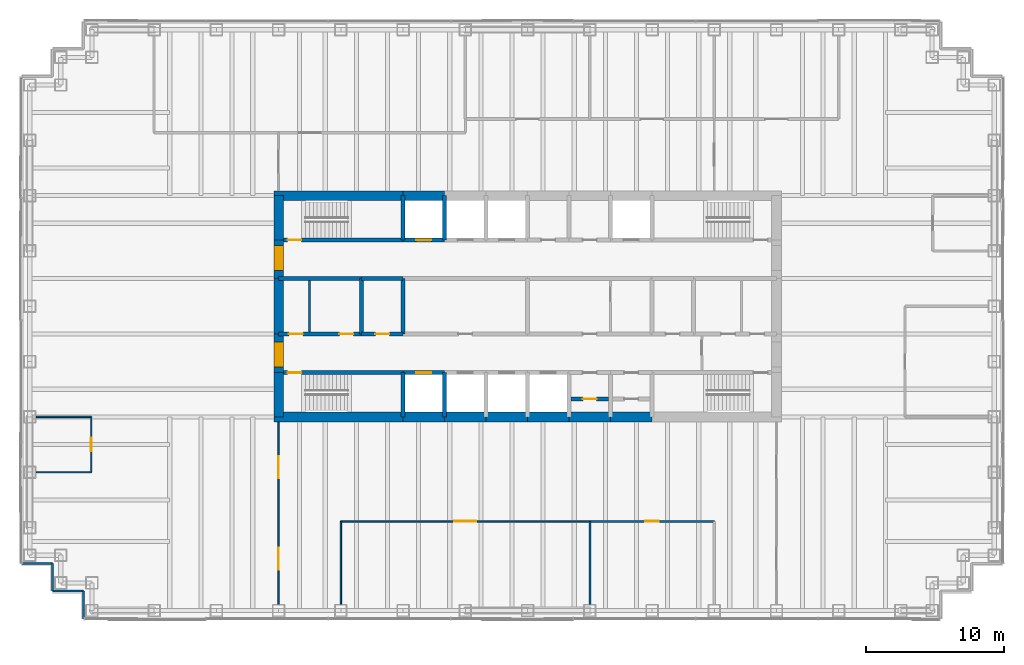
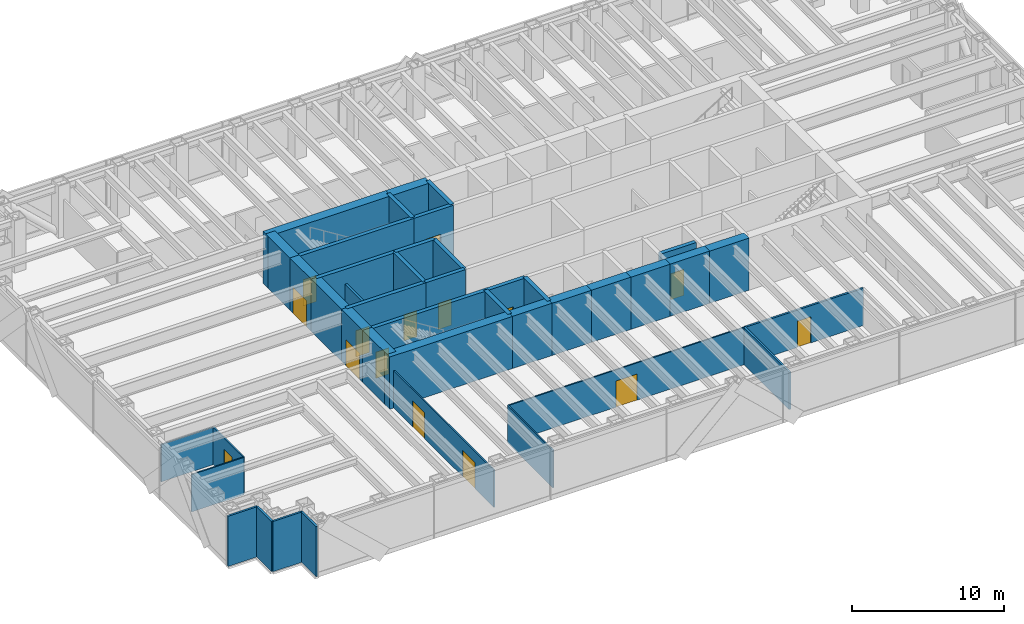
# One storey, part 13 of 17: 42 walls, 15 doors, 15 openings.
"""IFC4 building model written with IfcOpenShell, lengths in metres."""

from ifc_helpers import new_model, si_unit, direction, frame, frame_2d, origin, place, context, subcontext, project, spatial, rectangle, extrude, material, layer, layer_set, type_object, element, fill, save


model = new_model("IFC4")

# Units and contexts
model_context = context("Model", 3, precision=1e-05, world=origin(), true_north=direction((0.0, 1.0)))
body_context = subcontext(model_context, "Body", "Model", "MODEL_VIEW")
ifc_project = project(units=[si_unit("LENGTHUNIT", "METRE"), si_unit("AREAUNIT", "SQUARE_METRE"), si_unit("VOLUMEUNIT", "CUBIC_METRE"), si_unit("PLANEANGLEUNIT", "RADIAN"), si_unit("MASSUNIT", "GRAM", prefix="KILO")], contexts=[model_context])

# Site, building, storey
site_placement = place(None, origin())
site = spatial("IfcSite", under=ifc_project, at=site_placement, CompositionType="ELEMENT")
building_placement = place(site_placement, origin())
building = spatial("IfcBuilding", under=site, at=building_placement, Name="Rheinbord Bourse Tower", CompositionType="ELEMENT")
storey_placement = place(building_placement, frame((0.0, 0.0, 300.5)))
storey = spatial("IfcBuildingStorey", under=building, at=storey_placement, Name="L68", CompositionType="ELEMENT", Elevation=300.5)

# Wall, opening, door
ifc_material_1 = material(Name="Concrete C50/60", Category="concrete")
ifc_layer_1 = layer(ifc_material_1, 0.300048828125)
ifc_layer_set_1 = layer_set([ifc_layer_1], Name="CORE INNER WALL 300")
wall_type_1 = type_object("IfcWallType", Name="CORE INNER WALL 300", PredefinedType="SOLIDWALL", material=ifc_layer_set_1)
wall_1_placement = place(storey_placement, frame((18.0, 19.199951171875, 0.0), z_axis=(0.0, 0.0, 1.0), x_axis=(1.0, 0.0, 0.0)))
wall_1 = element("IfcWall", 1, at=wall_1_placement, inside=storey, type_object=wall_type_1, Name="Core wall A1 L68", PredefinedType="SOLIDWALL", context=body_context, shape_type="SweptSolid", body=[
    extrude(rectangle(XDim=9.0, YDim=0.300048828125, at=frame_2d((4.5, 0.0))), origin(), (0.0, 0.0, 1.0), 4.199951171875),
])
opening_1_placement = place(wall_1_placement, frame((0.64990234375, 0.0, 0.0)))
opening_1 = element("IfcOpeningElement", 2, at=opening_1_placement, cuts=wall_1, Name="Opening 6810", PredefinedType="OPENING", context=body_context, shape_type="SweptSolid", body=[
    extrude(rectangle(XDim=1.0, YDim=2.10009765625, at=frame_2d((0.5, 1.050048828125))), frame((0.0, 0.159912109375, 0.0), z_axis=(0.0, -1.0, 0.0), x_axis=(1.0, 0.0, 0.0)), (0.0, 0.0, 1.0), 0.320068359375),
])
ifc_material_2 = material(Name="Steel door", Category="steel")
door_type_1 = type_object("IfcDoorType", Name="DOOR 1000 EI30", OperationType="SINGLE_SWING_LEFT", PredefinedType="DOOR", material=ifc_material_2)
door_1_placement = place(opening_1_placement, origin())
door_1 = element("IfcDoor", 3, at=door_1_placement, inside=storey, type_object=door_type_1, Name="Stair door ST1 L68", OperationType="SINGLE_SWING_LEFT", OverallHeight=2.10009765625, OverallWidth=1.0, PredefinedType="DOOR", context=body_context, shape_type="SweptSolid", body=[
    extrude(rectangle(XDim=1.0, YDim=2.10009765625, at=frame_2d((0.5, 1.050048828125))), frame((0.0, 0.02490234375, 0.0), z_axis=(0.0, -1.0, 0.0), x_axis=(1.0, 0.0, 0.0)), (0.0, 0.0, 1.0), 0.050048828125),
])
fill(opening_1, door_1)

wall_2_placement = place(storey_placement, frame((27.0, 19.199951171875, 0.0), z_axis=(0.0, 0.0, 1.0), x_axis=(1.0, 0.0, 0.0)))
wall_2 = element("IfcWall", 4, at=wall_2_placement, inside=storey, type_object=wall_type_1, Name="Core wall A2 L68", PredefinedType="SOLIDWALL", context=body_context, shape_type="SweptSolid", body=[
    extrude(rectangle(XDim=3.0, YDim=0.300048828125, at=frame_2d((1.5, 0.0))), origin(), (0.0, 0.0, 1.0), 4.199951171875),
])
opening_2_placement = place(wall_2_placement, frame((0.949951171875, 0.0, 0.0)))
opening_2 = element("IfcOpeningElement", 5, at=opening_2_placement, cuts=wall_2, Name="Opening FL1", PredefinedType="OPENING", context=body_context, shape_type="SweptSolid", body=[
    extrude(rectangle(XDim=1.10009765625, YDim=2.199951171875, at=frame_2d((0.550048828125, 1.10009765625))), frame((0.0, 0.159912109375, 0.0), z_axis=(0.0, -1.0, 0.0), x_axis=(1.0, 0.0, 0.0)), (0.0, 0.0, 1.0), 0.320068359375),
])
ifc_material_3 = material(Name="Steel landing door", Category="steel")
door_type_2 = type_object("IfcDoorType", Name="LIFT LANDING DOOR 1100", OperationType="DOUBLE_DOOR_SLIDING", PredefinedType="USERDEFINED", material=ifc_material_3)
door_2_placement = place(opening_2_placement, origin())
door_2 = element("IfcDoor", 6, at=door_2_placement, inside=storey, type_object=door_type_2, Name="Lift landing door FL1 L68", ObjectType="LIFT LANDING DOOR", OperationType="DOUBLE_DOOR_SLIDING", OverallHeight=2.199951171875, OverallWidth=1.10009765625, PredefinedType="USERDEFINED", context=body_context, shape_type="SweptSolid", body=[
    extrude(rectangle(XDim=1.10009765625, YDim=2.199951171875, at=frame_2d((0.550048828125, 1.10009765625))), frame((0.0, 0.02490234375, 0.0), z_axis=(0.0, -1.0, 0.0), x_axis=(1.0, 0.0, 0.0)), (0.0, 0.0, 1.0), 0.050048828125),
])
fill(opening_2, door_2)

wall_3_placement = place(storey_placement, frame((18.0, 28.800048828125, 0.0), z_axis=(0.0, 0.0, 1.0), x_axis=(1.0, 0.0, 0.0)))
wall_3 = element("IfcWall", 7, at=wall_3_placement, inside=storey, type_object=wall_type_1, Name="Core wall B1 L68", PredefinedType="SOLIDWALL", context=body_context, shape_type="SweptSolid", body=[
    extrude(rectangle(XDim=9.0, YDim=0.300048828125, at=frame_2d((4.5, 0.0))), origin(), (0.0, 0.0, 1.0), 4.199951171875),
])
opening_3_placement = place(wall_3_placement, frame((0.64990234375, 0.0, 0.0)))
opening_3 = element("IfcOpeningElement", 8, at=opening_3_placement, cuts=wall_3, Name="Opening 6820", PredefinedType="OPENING", context=body_context, shape_type="SweptSolid", body=[
    extrude(rectangle(XDim=1.0, YDim=2.10009765625, at=frame_2d((0.5, 1.050048828125))), frame((0.0, 0.159912109375, 0.0), z_axis=(0.0, -1.0, 0.0), x_axis=(1.0, 0.0, 0.0)), (0.0, 0.0, 1.0), 0.320068359375),
])
door_3_placement = place(opening_3_placement, origin())
door_3 = element("IfcDoor", 9, at=door_3_placement, inside=storey, type_object=door_type_1, Name="Stair door ST2 L68", OperationType="SINGLE_SWING_LEFT", OverallHeight=2.10009765625, OverallWidth=1.0, PredefinedType="DOOR", context=body_context, shape_type="SweptSolid", body=[
    extrude(rectangle(XDim=1.0, YDim=2.10009765625, at=frame_2d((0.5, 1.050048828125))), frame((0.0, 0.02490234375, 0.0), z_axis=(0.0, -1.0, 0.0), x_axis=(1.0, 0.0, 0.0)), (0.0, 0.0, 1.0), 0.050048828125),
])
fill(opening_3, door_3)

wall_4_placement = place(storey_placement, frame((27.0, 28.800048828125, 0.0), z_axis=(0.0, 0.0, 1.0), x_axis=(1.0, 0.0, 0.0)))
wall_4 = element("IfcWall", 10, at=wall_4_placement, inside=storey, type_object=wall_type_1, Name="Core wall B2 L68", PredefinedType="SOLIDWALL", context=body_context, shape_type="SweptSolid", body=[
    extrude(rectangle(XDim=3.0, YDim=0.300048828125, at=frame_2d((1.5, 0.0))), origin(), (0.0, 0.0, 1.0), 4.199951171875),
])
opening_4_placement = place(wall_4_placement, frame((0.949951171875, 0.0, 0.0)))
opening_4 = element("IfcOpeningElement", 11, at=opening_4_placement, cuts=wall_4, Name="Opening GL1", PredefinedType="OPENING", context=body_context, shape_type="SweptSolid", body=[
    extrude(rectangle(XDim=1.10009765625, YDim=2.199951171875, at=frame_2d((0.550048828125, 1.10009765625))), frame((0.0, 0.159912109375, 0.0), z_axis=(0.0, -1.0, 0.0), x_axis=(1.0, 0.0, 0.0)), (0.0, 0.0, 1.0), 0.320068359375),
])
door_4_placement = place(opening_4_placement, origin())
door_4 = element("IfcDoor", 12, at=door_4_placement, inside=storey, type_object=door_type_2, Name="Lift landing door GL1 L68", ObjectType="LIFT LANDING DOOR", OperationType="DOUBLE_DOOR_SLIDING", OverallHeight=2.199951171875, OverallWidth=1.10009765625, PredefinedType="USERDEFINED", context=body_context, shape_type="SweptSolid", body=[
    extrude(rectangle(XDim=1.10009765625, YDim=2.199951171875, at=frame_2d((0.550048828125, 1.10009765625))), frame((0.0, 0.02490234375, 0.0), z_axis=(0.0, -1.0, 0.0), x_axis=(1.0, 0.0, 0.0)), (0.0, 0.0, 1.0), 0.050048828125),
])
fill(opening_4, door_4)

# Wall, openings, doors
wall_5_placement = place(storey_placement, frame((18.0, 22.0, 0.0), z_axis=(0.0, 0.0, 1.0), x_axis=(1.0, 0.0, 0.0)))
wall_5 = element("IfcWall", 13, at=wall_5_placement, inside=storey, type_object=wall_type_1, Name="Core wall C1 L68", PredefinedType="SOLIDWALL", context=body_context, shape_type="SweptSolid", body=[
    extrude(rectangle(XDim=6.0, YDim=0.300048828125, at=frame_2d((3.0, 0.0))), origin(), (0.0, 0.0, 1.0), 4.199951171875),
])
opening_5_placement = place(wall_5_placement, frame((4.39990234375, 0.0, 0.0)))
opening_5 = element("IfcOpeningElement", 14, at=opening_5_placement, cuts=wall_5, Name="Opening 68R1", PredefinedType="OPENING", context=body_context, shape_type="SweptSolid", body=[
    extrude(rectangle(XDim=1.0, YDim=2.10009765625, at=frame_2d((0.5, 1.050048828125))), frame((0.0, 0.159912109375, 0.0), z_axis=(0.0, -1.0, 0.0), x_axis=(1.0, 0.0, 0.0)), (0.0, 0.0, 1.0), 0.320068359375),
])
opening_6_placement = place(wall_5_placement, frame((0.75, 0.0, 0.0)))
opening_6 = element("IfcOpeningElement", 15, at=opening_6_placement, cuts=wall_5, Name="Opening 68R9", PredefinedType="OPENING", context=body_context, shape_type="SweptSolid", body=[
    extrude(rectangle(XDim=1.0, YDim=2.10009765625, at=frame_2d((0.5, 1.050048828125))), frame((0.0, 0.159912109375, 0.0), z_axis=(0.0, -1.0, 0.0), x_axis=(1.0, 0.0, 0.0)), (0.0, 0.0, 1.0), 0.320068359375),
])
door_5_placement = place(opening_6_placement, origin())
door_5 = element("IfcDoor", 16, at=door_5_placement, inside=storey, type_object=door_type_1, Name="Staff shower door L68", OperationType="SINGLE_SWING_LEFT", OverallHeight=2.10009765625, OverallWidth=1.0, PredefinedType="DOOR", context=body_context, shape_type="SweptSolid", body=[
    extrude(rectangle(XDim=1.0, YDim=2.10009765625, at=frame_2d((0.5, 1.050048828125))), frame((0.0, 0.02490234375, 0.0), z_axis=(0.0, -1.0, 0.0), x_axis=(1.0, 0.0, 0.0)), (0.0, 0.0, 1.0), 0.050048828125),
])
fill(opening_6, door_5)
ifc_material_4 = material(Name="Timber door", Category="wood")
door_type_3 = type_object("IfcDoorType", Name="DOOR 1000 WC", OperationType="SINGLE_SWING_LEFT", PredefinedType="DOOR", material=ifc_material_4)
door_6_placement = place(opening_5_placement, origin())
door_6 = element("IfcDoor", 17, at=door_6_placement, inside=storey, type_object=door_type_3, Name="WC men door L68", OperationType="SINGLE_SWING_RIGHT", OverallHeight=2.10009765625, OverallWidth=1.0, PredefinedType="DOOR", context=body_context, shape_type="SweptSolid", body=[
    extrude(rectangle(XDim=1.0, YDim=2.10009765625, at=frame_2d((0.5, 1.050048828125))), frame((0.0, 0.02490234375, 0.0), z_axis=(0.0, -1.0, 0.0), x_axis=(1.0, 0.0, 0.0)), (0.0, 0.0, 1.0), 0.050048828125),
])
fill(opening_5, door_6)

# Wall, opening, door
wall_6_placement = place(storey_placement, frame((24.0, 22.0, 0.0), z_axis=(0.0, 0.0, 1.0), x_axis=(1.0, 0.0, 0.0)))
wall_6 = element("IfcWall", 18, at=wall_6_placement, inside=storey, type_object=wall_type_1, Name="Core wall C2 L68", PredefinedType="SOLIDWALL", context=body_context, shape_type="SweptSolid", body=[
    extrude(rectangle(XDim=3.0, YDim=0.300048828125, at=frame_2d((1.5, 0.0))), origin(), (0.0, 0.0, 1.0), 4.199951171875),
])
opening_7_placement = place(wall_6_placement, frame((1.0, 0.0, 0.0)))
opening_7 = element("IfcOpeningElement", 19, at=opening_7_placement, cuts=wall_6, Name="Opening 68R2", PredefinedType="OPENING", context=body_context, shape_type="SweptSolid", body=[
    extrude(rectangle(XDim=1.0, YDim=2.10009765625, at=frame_2d((0.5, 1.050048828125))), frame((0.0, 0.159912109375, 0.0), z_axis=(0.0, -1.0, 0.0), x_axis=(1.0, 0.0, 0.0)), (0.0, 0.0, 1.0), 0.320068359375),
])
door_7_placement = place(opening_7_placement, origin())
door_7 = element("IfcDoor", 20, at=door_7_placement, inside=storey, type_object=door_type_3, Name="Shower and accessible WC door L68", OperationType="SINGLE_SWING_LEFT", OverallHeight=2.10009765625, OverallWidth=1.0, PredefinedType="DOOR", context=body_context, shape_type="SweptSolid", body=[
    extrude(rectangle(XDim=1.0, YDim=2.10009765625, at=frame_2d((0.5, 1.050048828125))), frame((0.0, 0.02490234375, 0.0), z_axis=(0.0, -1.0, 0.0), x_axis=(1.0, 0.0, 0.0)), (0.0, 0.0, 1.0), 0.050048828125),
])
fill(opening_7, door_7)

# Walls
wall_7_placement = place(storey_placement, frame((18.0, 26.0, 0.0), z_axis=(0.0, 0.0, 1.0), x_axis=(1.0, 0.0, 0.0)))
element("IfcWall", 21, at=wall_7_placement, inside=storey, type_object=wall_type_1, Name="Core wall D1 L68", PredefinedType="SOLIDWALL", context=body_context, shape_type="SweptSolid", body=[
    extrude(rectangle(XDim=6.0, YDim=0.300048828125, at=frame_2d((3.0, 0.0))), origin(), (0.0, 0.0, 1.0), 4.199951171875),
])
wall_8_placement = place(storey_placement, frame((24.0, 26.0, 0.0), z_axis=(0.0, 0.0, 1.0), x_axis=(1.0, 0.0, 0.0)))
element("IfcWall", 22, at=wall_8_placement, inside=storey, type_object=wall_type_1, Name="Core wall D2 L68", PredefinedType="SOLIDWALL", context=body_context, shape_type="SweptSolid", body=[
    extrude(rectangle(XDim=3.0, YDim=0.300048828125, at=frame_2d((1.5, 0.0))), origin(), (0.0, 0.0, 1.0), 4.199951171875),
])
for number, where, z_axis, x_axis, name in (
    (23, (27.0, 16.0, 0.0), (0.0, 0.0, 1.0), (0.0, 1.0, 0.0), "Core wall SX27 L68"),
    (24, (27.0, 28.800048828125, 0.0), (0.0, 0.0, 1.0), (0.0, 1.0, 0.0), "Core wall NX27 L68"),
    (25, (30.0, 16.0, 0.0), (0.0, 0.0, 1.0), (0.0, 1.0, 0.0), "Core wall SX30 L68"),
    (26, (30.0, 28.800048828125, 0.0), (0.0, 0.0, 1.0), (0.0, 1.0, 0.0), "Core wall NX30 L68"),
):
    element("IfcWall", number, at=place(storey_placement, frame(where, z_axis=z_axis, x_axis=x_axis)), inside=storey, type_object=wall_type_1, Name=name, PredefinedType="SOLIDWALL", context=body_context, shape_type="SweptSolid", body=[
        extrude(rectangle(XDim=3.199951171875, YDim=0.300048828125, at=frame_2d((1.60009765625, 0.0))), origin(), (0.0, 0.0, 1.0), 4.199951171875),
    ])
for number, where, z_axis, x_axis, name in (
    (27, (24.0, 22.0, 0.0), (0.0, 0.0, 1.0), (0.0, 1.0, 0.0), "Core wall MX24 L68"),
    (28, (27.0, 22.0, 0.0), (0.0, 0.0, 1.0), (0.0, 1.0, 0.0), "Core wall MX27 L68"),
):
    element("IfcWall", number, at=place(storey_placement, frame(where, z_axis=z_axis, x_axis=x_axis)), inside=storey, type_object=wall_type_1, Name=name, PredefinedType="SOLIDWALL", context=body_context, shape_type="SweptSolid", body=[
        extrude(rectangle(XDim=4.0, YDim=0.300048828125, at=frame_2d((2.0, 0.0))), origin(), (0.0, 0.0, 1.0), 4.199951171875),
    ])

# Wall, opening, door
wall_9_placement = place(storey_placement, frame((39.14990234375, 17.300048828125, 0.0), z_axis=(0.0, 0.0, 1.0), x_axis=(1.0, 0.0, 0.0)))
wall_9 = element("IfcWall", 29, at=wall_9_placement, inside=storey, type_object=wall_type_1, Name="Core riser wall L68-6", PredefinedType="SOLIDWALL", context=body_context, shape_type="SweptSolid", body=[
    extrude(rectangle(XDim=2.7001953125, YDim=0.300048828125, at=frame_2d((1.35009765625, 0.0))), origin(), (0.0, 0.0, 1.0), 4.0400390625),
])
opening_8_placement = place(wall_9_placement, frame((0.85009765625, 0.0, 0.0)))
opening_8 = element("IfcOpeningElement", 30, at=opening_8_placement, cuts=wall_9, Name="Opening 68R12", PredefinedType="OPENING", context=body_context, shape_type="SweptSolid", body=[
    extrude(rectangle(XDim=1.0, YDim=2.10009765625, at=frame_2d((0.5, 1.050048828125))), frame((0.0, 0.159912109375, 0.0), z_axis=(0.0, -1.0, 0.0), x_axis=(1.0, 0.0, 0.0)), (0.0, 0.0, 1.0), 0.320068359375),
])
door_8_placement = place(opening_8_placement, origin())
door_8 = element("IfcDoor", 31, at=door_8_placement, inside=storey, type_object=door_type_1, Name="Comms riser door L68", OperationType="SINGLE_SWING_LEFT", OverallHeight=2.10009765625, OverallWidth=1.0, PredefinedType="DOOR", context=body_context, shape_type="SweptSolid", body=[
    extrude(rectangle(XDim=1.0, YDim=2.10009765625, at=frame_2d((0.5, 1.050048828125))), frame((0.0, 0.02490234375, 0.0), z_axis=(0.0, -1.0, 0.0), x_axis=(1.0, 0.0, 0.0)), (0.0, 0.0, 1.0), 0.050048828125),
])
fill(opening_8, door_8)

# Walls
ifc_material_5 = material(Name="Gypsum board fire partition", Category="gypsum board")
ifc_layer_2 = layer(ifc_material_5, 0.14990234375)
ifc_layer_set_2 = layer_set([ifc_layer_2], Name="CORE PARTITION 150 EI30")
wall_type_2 = type_object("IfcWallType", Name="CORE PARTITION 150 EI30", PredefinedType="PARTITIONING", material=ifc_layer_set_2)
wall_10_placement = place(storey_placement, frame((20.22509765625, 22.14990234375, 0.0), z_axis=(0.0, 0.0, 1.0), x_axis=(0.0, 1.0, 0.0)))
element("IfcWall", 32, at=wall_10_placement, inside=storey, type_object=wall_type_2, Name="Core partition L68-2", PredefinedType="PARTITIONING", context=body_context, shape_type="SweptSolid", body=[
    extrude(rectangle(XDim=3.7001953125, YDim=0.14990234375, at=frame_2d((1.85009765625, 0.0))), origin(), (0.0, 0.0, 1.0), 3.0),
])
ifc_material_6 = material(Name="Concrete C50/60", Category="concrete")
ifc_layer_3 = layer(ifc_material_6, 0.699951171875)
ifc_layer_set_3 = layer_set([ifc_layer_3], Name="CORE WALL 700")
wall_type_3 = type_object("IfcWallType", Name="CORE WALL 700", PredefinedType="SHEAR", material=ifc_layer_set_3)
wall_11_placement = place(storey_placement, frame((17.64990234375, 16.0, 0.0), z_axis=(0.0, 0.0, 1.0), x_axis=(1.0, 0.0, 0.0)))
element("IfcWall", 33, at=wall_11_placement, inside=storey, type_object=wall_type_3, Name="Core wall S1 L68", PredefinedType="SHEAR", context=body_context, shape_type="SweptSolid", body=[
    extrude(rectangle(XDim=9.35009765625, YDim=0.699951171875, at=frame_2d((4.675048828125, 0.0))), origin(), (0.0, 0.0, 1.0), 4.199951171875),
])
for number, where, z_axis, x_axis, name in (
    (34, (27.0, 16.0, 0.0), (0.0, 0.0, 1.0), (1.0, 0.0, 0.0), "Core wall S2 L68"),
    (35, (30.0, 16.0, 0.0), (0.0, 0.0, 1.0), (1.0, 0.0, 0.0), "Core wall S3 L68"),
    (36, (33.0, 16.0, 0.0), (0.0, 0.0, 1.0), (1.0, 0.0, 0.0), "Core wall S4 L68"),
    (37, (36.0, 16.0, 0.0), (0.0, 0.0, 1.0), (1.0, 0.0, 0.0), "Core wall S5 L68"),
    (38, (39.0, 16.0, 0.0), (0.0, 0.0, 1.0), (1.0, 0.0, 0.0), "Core wall S6 L68"),
    (39, (42.0, 16.0, 0.0), (0.0, 0.0, 1.0), (1.0, 0.0, 0.0), "Core wall S7 L68"),
    (40, (30.0, 32.0, 0.0), (0.0, 0.0, 1.0), (-1.0, 0.0, 0.0), "Core wall N7 L68"),
):
    element("IfcWall", number, at=place(storey_placement, frame(where, z_axis=z_axis, x_axis=x_axis)), inside=storey, type_object=wall_type_3, Name=name, PredefinedType="SHEAR", context=body_context, shape_type="SweptSolid", body=[
        extrude(rectangle(XDim=3.0, YDim=0.699951171875, at=frame_2d((1.5, 0.0))), origin(), (0.0, 0.0, 1.0), 4.199951171875),
    ])
wall_12_placement = place(storey_placement, frame((27.0, 32.0, 0.0), z_axis=(0.0, 0.0, 1.0), x_axis=(-1.0, 0.0, 0.0)))
element("IfcWall", 41, at=wall_12_placement, inside=storey, type_object=wall_type_3, Name="Core wall N8 L68", PredefinedType="SHEAR", context=body_context, shape_type="SweptSolid", body=[
    extrude(rectangle(XDim=9.35009765625, YDim=0.699951171875, at=frame_2d((4.675048828125, 0.0))), origin(), (0.0, 0.0, 1.0), 4.199951171875),
])
wall_13_placement = place(storey_placement, frame((18.0, 32.0, 0.0), z_axis=(0.0, 0.0, 1.0), x_axis=(0.0, -1.0, 0.0)))
element("IfcWall", 42, at=wall_13_placement, inside=storey, type_object=wall_type_3, Name="Core wall W1 L68", PredefinedType="SHEAR", context=body_context, shape_type="SweptSolid", body=[
    extrude(rectangle(XDim=3.199951171875, YDim=0.699951171875, at=frame_2d((1.60009765625, 0.0))), origin(), (0.0, 0.0, 1.0), 4.199951171875),
])

# Wall, opening, door
wall_14_placement = place(storey_placement, frame((18.0, 28.800048828125, 0.0), z_axis=(0.0, 0.0, 1.0), x_axis=(0.0, -1.0, 0.0)))
wall_14 = element("IfcWall", 43, at=wall_14_placement, inside=storey, type_object=wall_type_3, Name="Core wall W2 L68", PredefinedType="SHEAR", context=body_context, shape_type="SweptSolid", body=[
    extrude(rectangle(XDim=2.800048828125, YDim=0.699951171875, at=frame_2d((1.39990234375, 0.0))), origin(), (0.0, 0.0, 1.0), 4.199951171875),
])
opening_9_placement = place(wall_14_placement, frame((0.39990234375, 0.0, 0.0)))
opening_9 = element("IfcOpeningElement", 44, at=opening_9_placement, cuts=wall_14, Name="Opening 68L2", PredefinedType="OPENING", context=body_context, shape_type="SweptSolid", body=[
    extrude(rectangle(XDim=1.800048828125, YDim=2.10009765625, at=frame_2d((0.89990234375, 1.050048828125))), frame((0.0, 0.35986328125, 0.0), z_axis=(0.0, -1.0, 0.0), x_axis=(1.0, 0.0, 0.0)), (0.0, 0.0, 1.0), 0.719970703125),
])
ifc_material_7 = material(Name="Steel door", Category="steel")
door_type_4 = type_object("IfcDoorType", Name="DOOR 1800 EI30 DOUBLE", OperationType="DOUBLE_DOOR_DOUBLE_SWING", PredefinedType="DOOR", material=ifc_material_7)
door_9_placement = place(opening_9_placement, origin())
door_9 = element("IfcDoor", 45, at=door_9_placement, inside=storey, type_object=door_type_4, Name="Lobby door 2 L68", OperationType="SINGLE_SWING_LEFT", OverallHeight=2.10009765625, OverallWidth=1.800048828125, PredefinedType="DOOR", context=body_context, shape_type="SweptSolid", body=[
    extrude(rectangle(XDim=1.800048828125, YDim=2.10009765625, at=frame_2d((0.89990234375, 1.050048828125))), frame((0.0, 0.349609375, 0.0), z_axis=(0.0, -1.0, 0.0), x_axis=(1.0, 0.0, 0.0)), (0.0, 0.0, 1.0), 0.699462890625),
])
fill(opening_9, door_9)

# Wall
wall_15_placement = place(storey_placement, frame((18.0, 26.0, 0.0), z_axis=(0.0, 0.0, 1.0), x_axis=(0.0, -1.0, 0.0)))
element("IfcWall", 46, at=wall_15_placement, inside=storey, type_object=wall_type_3, Name="Core wall W3 L68", PredefinedType="SHEAR", context=body_context, shape_type="SweptSolid", body=[
    extrude(rectangle(XDim=4.0, YDim=0.699951171875, at=frame_2d((2.0, 0.0))), origin(), (0.0, 0.0, 1.0), 4.199951171875),
])

# Wall, opening, door
wall_16_placement = place(storey_placement, frame((18.0, 22.0, 0.0), z_axis=(0.0, 0.0, 1.0), x_axis=(0.0, -1.0, 0.0)))
wall_16 = element("IfcWall", 47, at=wall_16_placement, inside=storey, type_object=wall_type_3, Name="Core wall W4 L68", PredefinedType="SHEAR", context=body_context, shape_type="SweptSolid", body=[
    extrude(rectangle(XDim=2.800048828125, YDim=0.699951171875, at=frame_2d((1.39990234375, 0.0))), origin(), (0.0, 0.0, 1.0), 4.199951171875),
])
opening_10_placement = place(wall_16_placement, frame((0.60009765625, 0.0, 0.0)))
opening_10 = element("IfcOpeningElement", 48, at=opening_10_placement, cuts=wall_16, Name="Opening 68L1", PredefinedType="OPENING", context=body_context, shape_type="SweptSolid", body=[
    extrude(rectangle(XDim=1.800048828125, YDim=2.10009765625, at=frame_2d((0.89990234375, 1.050048828125))), frame((0.0, 0.35986328125, 0.0), z_axis=(0.0, -1.0, 0.0), x_axis=(1.0, 0.0, 0.0)), (0.0, 0.0, 1.0), 0.719970703125),
])
door_10_placement = place(opening_10_placement, origin())
door_10 = element("IfcDoor", 49, at=door_10_placement, inside=storey, type_object=door_type_4, Name="Lobby door 1 L68", OperationType="SINGLE_SWING_LEFT", OverallHeight=2.10009765625, OverallWidth=1.800048828125, PredefinedType="DOOR", context=body_context, shape_type="SweptSolid", body=[
    extrude(rectangle(XDim=1.800048828125, YDim=2.10009765625, at=frame_2d((0.89990234375, 1.050048828125))), frame((0.0, 0.349609375, 0.0), z_axis=(0.0, -1.0, 0.0), x_axis=(1.0, 0.0, 0.0)), (0.0, 0.0, 1.0), 0.699462890625),
])
fill(opening_10, door_10)

# Walls
wall_17_placement = place(storey_placement, frame((18.0, 19.199951171875, 0.0), z_axis=(0.0, 0.0, 1.0), x_axis=(0.0, -1.0, 0.0)))
element("IfcWall", 50, at=wall_17_placement, inside=storey, type_object=wall_type_3, Name="Core wall W5 L68", PredefinedType="SHEAR", context=body_context, shape_type="SweptSolid", body=[
    extrude(rectangle(XDim=3.199951171875, YDim=0.699951171875, at=frame_2d((1.60009765625, 0.0))), origin(), (0.0, 0.0, 1.0), 4.199951171875),
])
ifc_material_8 = material(Name="Black metal rainscreen panel", Category="aluminium")
ifc_layer_4 = layer(ifc_material_8, 0.14990234375)
ifc_layer_set_4 = layer_set([ifc_layer_4], Name="CORNER PIER CLADDING 150")
wall_type_4 = type_object("IfcWallType", Name="CORNER PIER CLADDING 150", PredefinedType="ELEMENTEDWALL", material=ifc_layer_set_4)
wall_18_placement = place(storey_placement, frame((-0.60009765625, 5.39990234375, 0.0), z_axis=(0.0, 0.0, 1.0), x_axis=(1.0, 0.0, 0.0)))
element("IfcWall", 51, at=wall_18_placement, inside=storey, type_object=wall_type_4, Name="Corner pier cladding L68 17", PredefinedType="ELEMENTEDWALL", context=body_context, shape_type="SweptSolid", body=[
    extrude(rectangle(XDim=2.25, YDim=0.14990234375, at=frame_2d((1.125, 0.0))), origin(), (0.0, 0.0, 1.0), 4.0400390625),
])
wall_19_placement = place(storey_placement, frame((1.64990234375, 5.39990234375, 0.0), z_axis=(0.0, 0.0, 1.0), x_axis=(0.0, -1.0, 0.0)))
element("IfcWall", 52, at=wall_19_placement, inside=storey, type_object=wall_type_4, Name="Corner pier cladding L68 18", PredefinedType="ELEMENTEDWALL", context=body_context, shape_type="SweptSolid", body=[
    extrude(rectangle(XDim=2.0, YDim=0.14990234375, at=frame_2d((1.0, 0.0))), origin(), (0.0, 0.0, 1.0), 4.0400390625),
])
wall_20_placement = place(storey_placement, frame((1.64990234375, 3.39990234375, 0.0), z_axis=(0.0, 0.0, 1.0), x_axis=(1.0, 0.0, 0.0)))
element("IfcWall", 53, at=wall_20_placement, inside=storey, type_object=wall_type_4, Name="Corner pier cladding L68 19", PredefinedType="ELEMENTEDWALL", context=body_context, shape_type="SweptSolid", body=[
    extrude(rectangle(XDim=2.25, YDim=0.14990234375, at=frame_2d((1.125, 0.0))), origin(), (0.0, 0.0, 1.0), 4.0400390625),
])
wall_21_placement = place(storey_placement, frame((3.89990234375, 3.39990234375, 0.0), z_axis=(0.0, 0.0, 1.0), x_axis=(0.0, -1.0, 0.0)))
element("IfcWall", 54, at=wall_21_placement, inside=storey, type_object=wall_type_4, Name="Corner pier cladding L68 20", PredefinedType="ELEMENTEDWALL", context=body_context, shape_type="SweptSolid", body=[
    extrude(rectangle(XDim=2.0, YDim=0.14990234375, at=frame_2d((1.0, 0.0))), origin(), (0.0, 0.0, 1.0), 4.0400390625),
])

# Wall, opening, door
ifc_material_9 = material(Name="Toughened laminated glass partition", Category="glass")
ifc_layer_5 = layer(ifc_material_9, 0.10009765625)
ifc_layer_set_5 = layer_set([ifc_layer_5], Name="GLAZED PARTITION 100")
wall_type_5 = type_object("IfcWallType", Name="GLAZED PARTITION 100", PredefinedType="PARTITIONING", material=ifc_layer_set_5)
wall_22_placement = place(storey_placement, frame((22.5, 8.449951171875, 0.0), z_axis=(0.0, 0.0, 1.0), x_axis=(1.0, 0.0, 0.0)))
wall_22 = element("IfcWall", 55, at=wall_22_placement, inside=storey, type_object=wall_type_5, Name="Partition L68-01", PredefinedType="PARTITIONING", context=body_context, shape_type="SweptSolid", body=[
    extrude(rectangle(XDim=18.0, YDim=0.10009765625, at=frame_2d((9.0, 0.0))), origin(), (0.0, 0.0, 1.0), 3.0),
])
opening_11_placement = place(wall_22_placement, frame((8.199951171875, 0.0, 0.0)))
opening_11 = element("IfcOpeningElement", 56, at=opening_11_placement, cuts=wall_22, Name="Opening 68D01", PredefinedType="OPENING", context=body_context, shape_type="SweptSolid", body=[
    extrude(rectangle(XDim=1.60009765625, YDim=2.10009765625, at=frame_2d((0.800048828125, 1.050048828125))), frame((0.0, 0.06005859375, 0.0), z_axis=(0.0, -1.0, 0.0), x_axis=(1.0, 0.0, 0.0)), (0.0, 0.0, 1.0), 0.1201171875),
])
ifc_material_10 = material(Name="Timber door", Category="wood")
door_type_5 = type_object("IfcDoorType", Name="DOUBLE ROOM DOOR 1600", OperationType="DOUBLE_DOOR_DOUBLE_SWING", PredefinedType="DOOR", material=ifc_material_10)
door_11_placement = place(opening_11_placement, origin())
door_11 = element("IfcDoor", 57, at=door_11_placement, inside=storey, type_object=door_type_5, Name="Business centre door L68", OperationType="SINGLE_SWING_LEFT", OverallHeight=2.10009765625, OverallWidth=1.60009765625, PredefinedType="DOOR", context=body_context, shape_type="SweptSolid", body=[
    extrude(rectangle(XDim=1.60009765625, YDim=2.10009765625, at=frame_2d((0.800048828125, 1.050048828125))), frame((0.0, 0.02490234375, 0.0), z_axis=(0.0, -1.0, 0.0), x_axis=(1.0, 0.0, 0.0)), (0.0, 0.0, 1.0), 0.050048828125),
])
fill(opening_11, door_11)

# Walls
for number, where, z_axis, x_axis, name in (
    (58, (0.449951171875, 12.0, 0.0), (0.0, 0.0, 1.0), (1.0, 0.0, 0.0), "Partition L68-03"),
    (59, (0.449951171875, 16.0, 0.0), (0.0, 0.0, 1.0), (1.0, 0.0, 0.0), "Partition L68-04"),
):
    element("IfcWall", number, at=place(storey_placement, frame(where, z_axis=z_axis, x_axis=x_axis)), inside=storey, type_object=wall_type_5, Name=name, PredefinedType="PARTITIONING", context=body_context, shape_type="SweptSolid", body=[
        extrude(rectangle(XDim=4.0, YDim=0.10009765625, at=frame_2d((2.0, 0.0))), origin(), (0.0, 0.0, 1.0), 3.0),
    ])

# Wall, opening, door
wall_23_placement = place(storey_placement, frame((4.449951171875, 12.0, 0.0), z_axis=(0.0, 0.0, 1.0), x_axis=(0.0, 1.0, 0.0)))
wall_23 = element("IfcWall", 60, at=wall_23_placement, inside=storey, type_object=wall_type_5, Name="Partition L68-11", PredefinedType="PARTITIONING", context=body_context, shape_type="SweptSolid", body=[
    extrude(rectangle(XDim=4.0, YDim=0.10009765625, at=frame_2d((2.0, 0.0))), origin(), (0.0, 0.0, 1.0), 3.0),
])
opening_12_placement = place(wall_23_placement, frame((1.5, 0.0, 0.0)))
opening_12 = element("IfcOpeningElement", 61, at=opening_12_placement, cuts=wall_23, Name="Opening 68D03", PredefinedType="OPENING", context=body_context, shape_type="SweptSolid", body=[
    extrude(rectangle(XDim=1.0, YDim=2.10009765625, at=frame_2d((0.5, 1.050048828125))), frame((0.0, 0.06005859375, 0.0), z_axis=(0.0, -1.0, 0.0), x_axis=(1.0, 0.0, 0.0)), (0.0, 0.0, 1.0), 0.1201171875),
])
ifc_material_11 = material(Name="Timber door", Category="wood")
door_type_6 = type_object("IfcDoorType", Name="ROOM DOOR 1000", OperationType="SINGLE_SWING_LEFT", PredefinedType="DOOR", material=ifc_material_11)
door_12_placement = place(opening_12_placement, origin())
door_12 = element("IfcDoor", 62, at=door_12_placement, inside=storey, type_object=door_type_6, Name="Quiet room door L68", OperationType="SINGLE_SWING_LEFT", OverallHeight=2.10009765625, OverallWidth=1.0, PredefinedType="DOOR", context=body_context, shape_type="SweptSolid", body=[
    extrude(rectangle(XDim=1.0, YDim=2.10009765625, at=frame_2d((0.5, 1.050048828125))), frame((0.0, 0.02490234375, 0.0), z_axis=(0.0, -1.0, 0.0), x_axis=(1.0, 0.0, 0.0)), (0.0, 0.0, 1.0), 0.050048828125),
])
fill(opening_12, door_12)

# Wall, openings, doors
wall_24_placement = place(storey_placement, frame((18.0, 2.449951171875, 0.0), z_axis=(0.0, 0.0, 1.0), x_axis=(0.0, 1.0, 0.0)))
wall_24 = element("IfcWall", 63, at=wall_24_placement, inside=storey, type_object=wall_type_5, Name="Partition L68-13", PredefinedType="PARTITIONING", context=body_context, shape_type="SweptSolid", body=[
    extrude(rectangle(XDim=13.199951171875, YDim=0.10009765625, at=frame_2d((6.60009765625, 0.0))), origin(), (0.0, 0.0, 1.0), 3.0),
])
opening_13_placement = place(wall_24_placement, frame((2.5, 0.0, 0.0)))
opening_13 = element("IfcOpeningElement", 64, at=opening_13_placement, cuts=wall_24, Name="Opening 68D10", PredefinedType="OPENING", context=body_context, shape_type="SweptSolid", body=[
    extrude(rectangle(XDim=1.60009765625, YDim=2.10009765625, at=frame_2d((0.800048828125, 1.050048828125))), frame((0.0, 0.06005859375, 0.0), z_axis=(0.0, -1.0, 0.0), x_axis=(1.0, 0.0, 0.0)), (0.0, 0.0, 1.0), 0.1201171875),
])
opening_14_placement = place(wall_24_placement, frame((9.10009765625, 0.0, 0.0)))
opening_14 = element("IfcOpeningElement", 65, at=opening_14_placement, cuts=wall_24, Name="Opening 68D11", PredefinedType="OPENING", context=body_context, shape_type="SweptSolid", body=[
    extrude(rectangle(XDim=1.60009765625, YDim=2.10009765625, at=frame_2d((0.800048828125, 1.050048828125))), frame((0.0, 0.06005859375, 0.0), z_axis=(0.0, -1.0, 0.0), x_axis=(1.0, 0.0, 0.0)), (0.0, 0.0, 1.0), 0.1201171875),
])
door_13_placement = place(opening_13_placement, origin())
door_13 = element("IfcDoor", 66, at=door_13_placement, inside=storey, type_object=door_type_5, Name="Open area door L68", OperationType="SINGLE_SWING_LEFT", OverallHeight=2.10009765625, OverallWidth=1.60009765625, PredefinedType="DOOR", context=body_context, shape_type="SweptSolid", body=[
    extrude(rectangle(XDim=1.60009765625, YDim=2.10009765625, at=frame_2d((0.800048828125, 1.050048828125))), frame((0.0, 0.02490234375, 0.0), z_axis=(0.0, -1.0, 0.0), x_axis=(1.0, 0.0, 0.0)), (0.0, 0.0, 1.0), 0.050048828125),
])
fill(opening_13, door_13)
door_14_placement = place(opening_14_placement, origin())
door_14 = element("IfcDoor", 67, at=door_14_placement, inside=storey, type_object=door_type_5, Name="Open area door L68", OperationType="SINGLE_SWING_LEFT", OverallHeight=2.10009765625, OverallWidth=1.60009765625, PredefinedType="DOOR", context=body_context, shape_type="SweptSolid", body=[
    extrude(rectangle(XDim=1.60009765625, YDim=2.10009765625, at=frame_2d((0.800048828125, 1.050048828125))), frame((0.0, 0.02490234375, 0.0), z_axis=(0.0, -1.0, 0.0), x_axis=(1.0, 0.0, 0.0)), (0.0, 0.0, 1.0), 0.050048828125),
])
fill(opening_14, door_14)

# Wall
wall_25_placement = place(storey_placement, frame((22.5, 2.449951171875, 0.0), z_axis=(0.0, 0.0, 1.0), x_axis=(0.0, 1.0, 0.0)))
element("IfcWall", 68, at=wall_25_placement, inside=storey, type_object=wall_type_5, Name="Partition L68-15", PredefinedType="PARTITIONING", context=body_context, shape_type="SweptSolid", body=[
    extrude(rectangle(XDim=6.0, YDim=0.10009765625, at=frame_2d((3.0, 0.0))), origin(), (0.0, 0.0, 1.0), 3.0),
])

# Wall, opening, door
ifc_material_12 = material(Name="Gypsum board partition", Category="gypsum board")
ifc_layer_6 = layer(ifc_material_12, 0.14990234375)
ifc_layer_set_6 = layer_set([ifc_layer_6], Name="PARTITION 150")
wall_type_6 = type_object("IfcWallType", Name="PARTITION 150", PredefinedType="PARTITIONING", material=ifc_layer_set_6)
wall_26_placement = place(storey_placement, frame((40.5, 8.449951171875, 0.0), z_axis=(0.0, 0.0, 1.0), x_axis=(1.0, 0.0, 0.0)))
wall_26 = element("IfcWall", 69, at=wall_26_placement, inside=storey, type_object=wall_type_6, Name="Partition L68-02", PredefinedType="PARTITIONING", context=body_context, shape_type="SweptSolid", body=[
    extrude(rectangle(XDim=9.0, YDim=0.14990234375, at=frame_2d((4.5, 0.0))), origin(), (0.0, 0.0, 1.0), 3.0),
])
opening_15_placement = place(wall_26_placement, frame((4.0, 0.0, 0.0)))
opening_15 = element("IfcOpeningElement", 70, at=opening_15_placement, cuts=wall_26, Name="Opening 68D02", PredefinedType="OPENING", context=body_context, shape_type="SweptSolid", body=[
    extrude(rectangle(XDim=1.0, YDim=2.10009765625, at=frame_2d((0.5, 1.050048828125))), frame((0.0, 0.0849609375, 0.0), z_axis=(0.0, -1.0, 0.0), x_axis=(1.0, 0.0, 0.0)), (0.0, 0.0, 1.0), 0.169921875),
])
door_15_placement = place(opening_15_placement, origin())
door_15 = element("IfcDoor", 71, at=door_15_placement, inside=storey, type_object=door_type_6, Name="Library door L68", OperationType="SINGLE_SWING_LEFT", OverallHeight=2.10009765625, OverallWidth=1.0, PredefinedType="DOOR", context=body_context, shape_type="SweptSolid", body=[
    extrude(rectangle(XDim=1.0, YDim=2.10009765625, at=frame_2d((0.5, 1.050048828125))), frame((0.0, 0.02490234375, 0.0), z_axis=(0.0, -1.0, 0.0), x_axis=(1.0, 0.0, 0.0)), (0.0, 0.0, 1.0), 0.050048828125),
])
fill(opening_15, door_15)

# Wall
wall_27_placement = place(storey_placement, frame((40.5, 2.449951171875, 0.0), z_axis=(0.0, 0.0, 1.0), x_axis=(0.0, 1.0, 0.0)))
element("IfcWall", 72, at=wall_27_placement, inside=storey, type_object=wall_type_6, Name="Partition L68-18", PredefinedType="PARTITIONING", context=body_context, shape_type="SweptSolid", body=[
    extrude(rectangle(XDim=6.0, YDim=0.14990234375, at=frame_2d((3.0, 0.0))), origin(), (0.0, 0.0, 1.0), 3.0),
])

save(model, "model.ifc")
